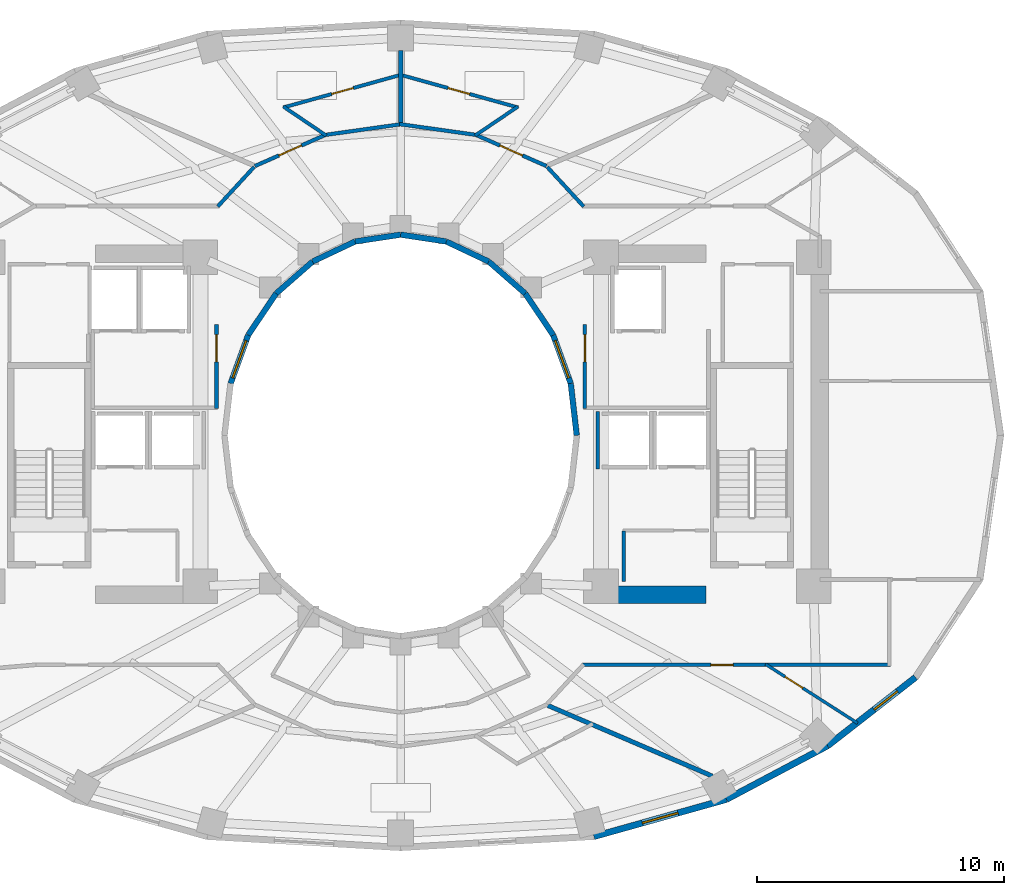
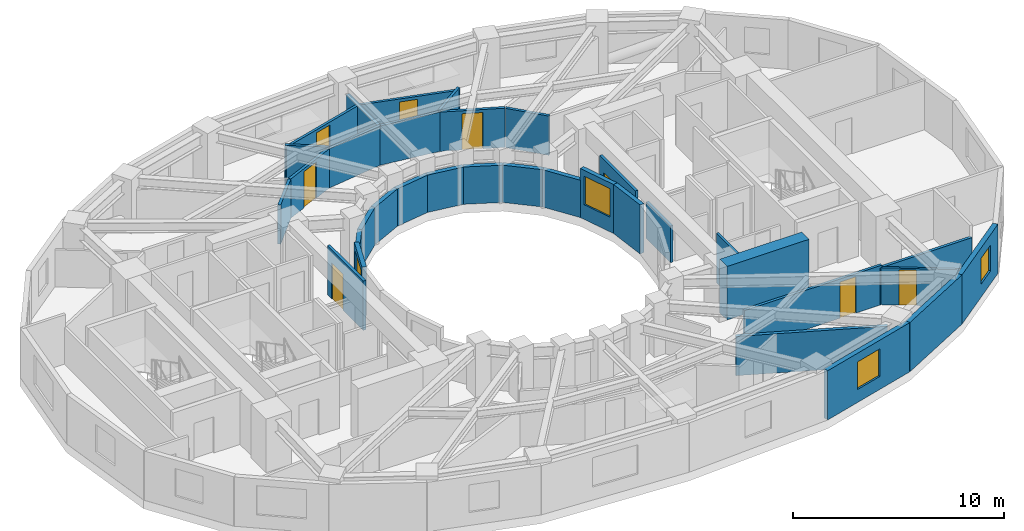
# One storey, part 5 of 9: 34 walls, 8 doors, 4 windows, 12 openings.
"""IFC4 building model written with IfcOpenShell, lengths in metres."""

from ifc_helpers import new_model, si_unit, direction, frame, frame_2d, origin, place, context, subcontext, project, spatial, rectangle, extrude, material, layer, layer_set, type_object, element, fill, save


model = new_model("IFC4")

# Units and contexts
model_context = context("Model", 3, precision=1e-05, world=origin(), true_north=direction((0.0, 1.0)))
body_context = subcontext(model_context, "Body", "Model", "MODEL_VIEW")
ifc_project = project(units=[si_unit("LENGTHUNIT", "METRE"), si_unit("AREAUNIT", "SQUARE_METRE"), si_unit("VOLUMEUNIT", "CUBIC_METRE"), si_unit("PLANEANGLEUNIT", "RADIAN"), si_unit("MASSUNIT", "GRAM", prefix="KILO")], contexts=[model_context])

# Site, building, storey
site_placement = place(None, origin())
site = spatial("IfcSite", under=ifc_project, at=site_placement, CompositionType="ELEMENT")
building_placement = place(site_placement, origin())
building = spatial("IfcBuilding", under=site, at=building_placement, Name="Solvane Sanctuary Tower", CompositionType="ELEMENT")
storey_placement = place(building_placement, frame((0.0, 0.0, 122.800048828125)))
storey = spatial("IfcBuildingStorey", under=building, at=storey_placement, Name="L37", CompositionType="ELEMENT", Elevation=122.800048828125)

# Wall
ifc_material_1 = material(Name="Concrete C60/75", Category="concrete")
ifc_layer_1 = layer(ifc_material_1, 0.699951171875, Name="Concrete C60/75")
ifc_layer_set_1 = layer_set([ifc_layer_1], Name="Concrete C60/75")
wall_type_1 = type_object("IfcWallType", Name="Wall W-CORE-700", PredefinedType="SHEAR", material=ifc_layer_set_1)
wall_1_placement = place(storey_placement, frame((39.85009765625, 16.550048828125, 0.0), z_axis=(0.0, 0.0, 1.0), x_axis=(1.0, 0.0, 0.0)))
element("IfcWall", 1, at=wall_1_placement, inside=storey, type_object=wall_type_1, Name="L37 Core Shear Wall EC-S", PredefinedType="SHEAR", context=body_context, shape_type="SweptSolid", body=[
    extrude(rectangle(XDim=4.5, YDim=0.699951171875, at=frame_2d((2.25, 0.0))), origin(), (0.0, 0.0, 1.0), 3.099853515625),
])

# Wall, opening, door
ifc_material_2 = material(Name="Acoustic Gypsum Partition Board")
ifc_layer_2 = layer(ifc_material_2, 0.14990234375, Name="Acoustic Gypsum Partition Board")
ifc_layer_set_2 = layer_set([ifc_layer_2], Name="Acoustic Gypsum Partition Board")
wall_type_2 = type_object("IfcWallType", Name="Wall W-CORR-150", PredefinedType="PARTITIONING", material=ifc_layer_set_2)
wall_2_placement = place(storey_placement, frame((24.550048828125, 24.080078125, 0.0), z_axis=(0.0, 0.0, 1.0), x_axis=(0.0, 1.0, 0.0)))
wall_2 = element("IfcWall", 2, at=wall_2_placement, inside=storey, type_object=wall_type_2, Name="L37 West Firefighting Lobby East Wall", PredefinedType="PARTITIONING", context=body_context, shape_type="SweptSolid", body=[
    extrude(rectangle(XDim=3.39990234375, YDim=0.14990234375, at=frame_2d((1.699951171875, 0.0))), origin(), (0.0, 0.0, 1.0), 2.85498046875),
])
opening_1_placement = place(wall_2_placement, frame((1.893798828125, 0.0, 0.0)))
opening_1 = element("IfcOpeningElement", 3, at=opening_1_placement, cuts=wall_2, Name="Opening D-L37-04", PredefinedType="OPENING", context=body_context, shape_type="SweptSolid", body=[
    extrude(rectangle(XDim=1.10009765625, YDim=2.10009765625, at=frame_2d((0.550048828125, 1.050048828125))), frame((0.0, 0.0849609375, 0.0), z_axis=(0.0, -1.0, 0.0), x_axis=(1.0, 0.0, 0.0)), (0.0, 0.0, 1.0), 0.169921875),
])
ifc_material_3 = material(Name="Architectural Stainless Steel 316", Category="steel")
door_type_1 = type_object("IfcDoorType", Name="Door D-FFL", OperationType="NOTDEFINED", PredefinedType="DOOR", material=ifc_material_3)
door_1_placement = place(opening_1_placement, origin())
door_1 = element("IfcDoor", 4, at=door_1_placement, inside=storey, type_object=door_type_1, Name="L37 West Firefighting Lobby Fire Door", OperationType="SINGLE_SWING_LEFT", OverallHeight=2.10009765625, OverallWidth=1.10009765625, PredefinedType="DOOR", context=body_context, shape_type="SweptSolid", body=[
    extrude(rectangle(XDim=1.10009765625, YDim=2.10009765625, at=frame_2d((0.550048828125, 1.050048828125))), frame((0.0, 0.02490234375, 0.0), z_axis=(0.0, -1.0, 0.0), x_axis=(1.0, 0.0, 0.0)), (0.0, 0.0, 1.0), 0.050048828125),
])
fill(opening_1, door_1)

wall_3_placement = place(storey_placement, frame((39.449951171875, 24.080078125, 0.0), z_axis=(0.0, 0.0, 1.0), x_axis=(0.0, 1.0, 0.0)))
wall_3 = element("IfcWall", 5, at=wall_3_placement, inside=storey, type_object=wall_type_2, Name="L37 East Firefighting Lobby West Wall", PredefinedType="PARTITIONING", context=body_context, shape_type="SweptSolid", body=[
    extrude(rectangle(XDim=3.39990234375, YDim=0.14990234375, at=frame_2d((1.699951171875, 0.0))), origin(), (0.0, 0.0, 1.0), 2.85498046875),
])
opening_2_placement = place(wall_3_placement, frame((1.893798828125, 0.0, 0.0)))
opening_2 = element("IfcOpeningElement", 6, at=opening_2_placement, cuts=wall_3, Name="Opening D-L37-05", PredefinedType="OPENING", context=body_context, shape_type="SweptSolid", body=[
    extrude(rectangle(XDim=1.10009765625, YDim=2.10009765625, at=frame_2d((0.550048828125, 1.050048828125))), frame((0.0, 0.0849609375, 0.0), z_axis=(0.0, -1.0, 0.0), x_axis=(1.0, 0.0, 0.0)), (0.0, 0.0, 1.0), 0.169921875),
])
door_2_placement = place(opening_2_placement, origin())
door_2 = element("IfcDoor", 7, at=door_2_placement, inside=storey, type_object=door_type_1, Name="L37 East Firefighting Lobby Fire Door", OperationType="SINGLE_SWING_RIGHT", OverallHeight=2.10009765625, OverallWidth=1.10009765625, PredefinedType="DOOR", context=body_context, shape_type="SweptSolid", body=[
    extrude(rectangle(XDim=1.10009765625, YDim=2.10009765625, at=frame_2d((0.550048828125, 1.050048828125))), frame((0.0, 0.02490234375, 0.0), z_axis=(0.0, -1.0, 0.0), x_axis=(1.0, 0.0, 0.0)), (0.0, 0.0, 1.0), 0.050048828125),
])
fill(opening_2, door_2)

# Walls
for number, where, z_axis, x_axis, name in (
    (8, (37.92822265625, 33.855712890625, 0.0), (0.0, 0.0, 1.0), (0.677579737957, -0.735449317567, 0.0), "L37 NE Corner Throat Wall"),
    (9, (26.07177734375, 33.855712890625, 0.0), (0.0, 0.0, 1.0), (-0.677579737957, -0.735449317567, 0.0), "L37 NW Corner Throat Wall"),
):
    element("IfcWall", number, at=place(storey_placement, frame(where, z_axis=z_axis, x_axis=x_axis)), inside=storey, type_object=wall_type_2, Name=name, PredefinedType="PARTITIONING", context=body_context, shape_type="SweptSolid", body=[
        extrude(rectangle(XDim=2.172607421875, YDim=0.14990234375, at=frame_2d((1.08642578125, 0.0))), origin(), (0.0, 0.0, 1.0), 2.27197265625),
    ])

# Wall, opening, door
wall_4_placement = place(storey_placement, frame((39.330078125, 13.719970703125, 0.0), z_axis=(0.0, 0.0, 1.0), x_axis=(1.0, 0.0, 0.0)))
wall_4 = element("IfcWall", 10, at=wall_4_placement, inside=storey, type_object=wall_type_2, Name="L37 SE Corner Corridor Wall", PredefinedType="PARTITIONING", context=body_context, shape_type="SweptSolid", body=[
    extrude(rectangle(XDim=7.52001953125, YDim=0.14990234375, at=frame_2d((3.760009765625, 0.0))), origin(), (0.0, 0.0, 1.0), 2.27197265625),
])
opening_3_placement = place(wall_4_placement, frame((5.219970703125, 0.0, 0.0)))
opening_3 = element("IfcOpeningElement", 11, at=opening_3_placement, cuts=wall_4, Name="Opening D-L37-19", PredefinedType="OPENING", context=body_context, shape_type="SweptSolid", body=[
    extrude(rectangle(XDim=0.89990234375, YDim=2.10009765625, at=frame_2d((0.449951171875, 1.050048828125))), frame((0.0, 0.0849609375, 0.0), z_axis=(0.0, -1.0, 0.0), x_axis=(1.0, 0.0, 0.0)), (0.0, 0.0, 1.0), 0.169921875),
])
ifc_material_4 = material(Name="Engineered Tropical Hardwood", Category="wood")
door_type_2 = type_object("IfcDoorType", Name="Door D-WET-900", OperationType="NOTDEFINED", PredefinedType="DOOR", material=ifc_material_4)
door_3_placement = place(opening_3_placement, origin())
door_3 = element("IfcDoor", 12, at=door_3_placement, inside=storey, type_object=door_type_2, Name="L37 SE Corner Salon Door", OperationType="SINGLE_SWING_RIGHT", OverallHeight=2.10009765625, OverallWidth=0.89990234375, PredefinedType="DOOR", context=body_context, shape_type="SweptSolid", body=[
    extrude(rectangle(XDim=0.89990234375, YDim=2.10009765625, at=frame_2d((0.449951171875, 1.050048828125))), frame((0.0, 0.02490234375, 0.0), z_axis=(0.0, -1.0, 0.0), x_axis=(1.0, 0.0, 0.0)), (0.0, 0.0, 1.0), 0.050048828125),
])
fill(opening_3, door_3)

# Walls
wall_5_placement = place(storey_placement, frame((46.75, 13.719970703125, 0.0), z_axis=(0.0, 0.0, 1.0), x_axis=(1.0, 0.0, 0.0)))
element("IfcWall", 13, at=wall_5_placement, inside=storey, type_object=wall_type_2, Name="L37 SE Corner Wing Wall", PredefinedType="PARTITIONING", context=body_context, shape_type="SweptSolid", body=[
    extrude(rectangle(XDim=5.050048828125, YDim=0.14990234375, at=frame_2d((2.52490234375, 0.0))), origin(), (0.0, 0.0, 1.0), 2.141845703125),
])
wall_6_placement = place(storey_placement, frame((35.098876953125, 35.146240234375, 0.0), z_axis=(0.0, 0.0, 1.0), x_axis=(-0.990251283702, 0.139292480508, 0.0)))
element("IfcWall", 14, at=wall_6_placement, inside=storey, type_object=wall_type_2, Name="L37 En-suite Inner Wall N1", PredefinedType="PARTITIONING", context=body_context, shape_type="SweptSolid", body=[
    extrude(rectangle(XDim=3.179443359375, YDim=0.14990234375, at=frame_2d((1.58984375, 0.0))), origin(), (0.0, 0.0, 1.0), 2.27197265625),
])

# Wall, opening, door
wall_7_placement = place(storey_placement, frame((37.898193359375, 33.891845703125, 0.0), z_axis=(0.0, 0.0, 1.0), x_axis=(-0.914519212393, 0.40454247016, 0.0)))
wall_7 = element("IfcWall", 15, at=wall_7_placement, inside=storey, type_object=wall_type_2, Name="L37 Unit Corridor Wall N1", PredefinedType="PARTITIONING", context=body_context, shape_type="SweptSolid", body=[
    extrude(rectangle(XDim=3.123779296875, YDim=0.14990234375, at=frame_2d((1.56201171875, 0.0))), origin(), (0.0, 0.0, 1.0), 2.27197265625),
])
opening_4_placement = place(wall_7_placement, frame((1.061767578125, 0.0, 0.0)))
opening_4 = element("IfcOpeningElement", 16, at=opening_4_placement, cuts=wall_7, Name="Opening D-L37-22", PredefinedType="OPENING", context=body_context, shape_type="SweptSolid", body=[
    extrude(rectangle(XDim=1.0, YDim=2.10009765625, at=frame_2d((0.5, 1.050048828125))), frame((0.0, 0.0849609375, 0.0), z_axis=(0.0, -1.0, 0.0), x_axis=(1.0, 0.0, 0.0)), (0.0, 0.0, 1.0), 0.169921875),
])
door_type_3 = type_object("IfcDoorType", Name="Door D-UNIT", OperationType="NOTDEFINED", PredefinedType="DOOR", material=ifc_material_4)
door_4_placement = place(opening_4_placement, origin())
door_4 = element("IfcDoor", 17, at=door_4_placement, inside=storey, type_object=door_type_3, Name="L37 Unit Entrance Door N1", OperationType="SINGLE_SWING_LEFT", OverallHeight=2.10009765625, OverallWidth=1.0, PredefinedType="DOOR", context=body_context, shape_type="SweptSolid", body=[
    extrude(rectangle(XDim=1.0, YDim=2.10009765625, at=frame_2d((0.5, 1.050048828125))), frame((0.0, 0.02490234375, 0.0), z_axis=(0.0, -1.0, 0.0), x_axis=(1.0, 0.0, 0.0)), (0.0, 0.0, 1.0), 0.050048828125),
])
fill(opening_4, door_4)

# Wall
wall_8_placement = place(storey_placement, frame((32.049560546875, 35.589111328125, 0.0), z_axis=(0.0, 0.0, 1.0), x_axis=(-0.990251283702, -0.139292480508, 0.0)))
element("IfcWall", 18, at=wall_8_placement, inside=storey, type_object=wall_type_2, Name="L37 En-suite Inner Wall N2", PredefinedType="PARTITIONING", context=body_context, shape_type="SweptSolid", body=[
    extrude(rectangle(XDim=3.179443359375, YDim=0.14990234375, at=frame_2d((1.58984375, 0.0))), origin(), (0.0, 0.0, 1.0), 2.27197265625),
])

# Wall, opening, door
wall_9_placement = place(storey_placement, frame((28.95849609375, 35.155517578125, 0.0), z_axis=(0.0, 0.0, 1.0), x_axis=(-0.914519212393, -0.40454247016, 0.0)))
wall_9 = element("IfcWall", 19, at=wall_9_placement, inside=storey, type_object=wall_type_2, Name="L37 Unit Corridor Wall N2", PredefinedType="PARTITIONING", context=body_context, shape_type="SweptSolid", body=[
    extrude(rectangle(XDim=3.123779296875, YDim=0.14990234375, at=frame_2d((1.56201171875, 0.0))), origin(), (0.0, 0.0, 1.0), 2.27197265625),
])
opening_5_placement = place(wall_9_placement, frame((1.061767578125, 0.0, 0.0)))
opening_5 = element("IfcOpeningElement", 20, at=opening_5_placement, cuts=wall_9, Name="Opening D-L37-24", PredefinedType="OPENING", context=body_context, shape_type="SweptSolid", body=[
    extrude(rectangle(XDim=1.0, YDim=2.10009765625, at=frame_2d((0.5, 1.050048828125))), frame((0.0, 0.0849609375, 0.0), z_axis=(0.0, -1.0, 0.0), x_axis=(1.0, 0.0, 0.0)), (0.0, 0.0, 1.0), 0.169921875),
])
door_5_placement = place(opening_5_placement, origin())
door_5 = element("IfcDoor", 21, at=door_5_placement, inside=storey, type_object=door_type_3, Name="L37 Unit Entrance Door N2", OperationType="SINGLE_SWING_LEFT", OverallHeight=2.10009765625, OverallWidth=1.0, PredefinedType="DOOR", context=body_context, shape_type="SweptSolid", body=[
    extrude(rectangle(XDim=1.0, YDim=2.10009765625, at=frame_2d((0.5, 1.050048828125))), frame((0.0, 0.02490234375, 0.0), z_axis=(0.0, -1.0, 0.0), x_axis=(1.0, 0.0, 0.0)), (0.0, 0.0, 1.0), 0.050048828125),
])
fill(opening_5, door_5)

# Wall, opening, window
ifc_material_5 = material(Name="Precast concrete C40/50", Category="concrete")
ifc_layer_3 = layer(ifc_material_5, 0.260009765625, Name="Precast concrete C40/50")
ifc_layer_set_3 = layer_set([ifc_layer_3], Name="Precast concrete C40/50")
wall_type_3 = type_object("IfcWallType", Name="Wall W-EXT-250", PredefinedType="STANDARD", material=ifc_layer_set_3)
wall_10_placement = place(storey_placement, frame((39.81640625, 6.7783203125, 0.0), z_axis=(0.0, 0.0, 1.0), x_axis=(0.962938491413, 0.269721081407, 0.0)))
wall_10 = element("IfcWall", 22, at=wall_10_placement, inside=storey, type_object=wall_type_3, Name="L37 Ceramic-Printed Facade Wall 19", PredefinedType="STANDARD", context=body_context, shape_type="SweptSolid", body=[
    extrude(rectangle(XDim=5.563232421875, YDim=0.260009765625, at=frame_2d((2.78173828125, 0.0))), origin(), (0.0, 0.0, 1.0), 2.849853515625),
])
opening_6_placement = place(wall_10_placement, frame((2.031494140625, 0.0, 0.75)))
opening_6 = element("IfcOpeningElement", 23, at=opening_6_placement, cuts=wall_10, Name="Opening WN-OPER-1500", PredefinedType="OPENING", context=body_context, shape_type="SweptSolid", body=[
    extrude(rectangle(XDim=1.5, YDim=1.60009765625, at=frame_2d((0.75, 0.800048828125))), frame((0.0, 0.139892578125, 0.0), z_axis=(0.0, -1.0, 0.0), x_axis=(1.0, 0.0, 0.0)), (0.0, 0.0, 1.0), 0.280029296875),
])
ifc_material_6 = material(Name="Dark Ceramic-Fritted Low-E Glass", Category="glass")
window_type_1 = type_object("IfcWindowType", Name="Window WN-OPER-1500", PartitioningType="SINGLE_PANEL", PredefinedType="WINDOW", material=ifc_material_6)
window_1_placement = place(opening_6_placement, origin())
window_1 = element("IfcWindow", 24, at=window_1_placement, inside=storey, type_object=window_type_1, Name="L37 Operable Facade Window 19", OverallHeight=1.60009765625, OverallWidth=1.5, PartitioningType="SINGLE_PANEL", PredefinedType="WINDOW", context=body_context, shape_type="SweptSolid", body=[
    extrude(rectangle(XDim=1.5, YDim=1.60009765625, at=frame_2d((0.75, 0.800048828125))), frame((0.0, 0.030029296875, 0.0), z_axis=(0.0, -1.0, 0.0), x_axis=(1.0, 0.0, 0.0)), (0.0, 0.0, 1.0), 0.06005859375),
])
fill(opening_6, window_1)

# Wall
wall_11_placement = place(storey_placement, frame((45.17333984375, 8.27880859375, 0.0), z_axis=(0.0, 0.0, 1.0), x_axis=(0.883668636807, 0.4681129568, 0.0)))
element("IfcWall", 25, at=wall_11_placement, inside=storey, type_object=wall_type_3, Name="L37 Ceramic-Printed Facade Wall 20", PredefinedType="STANDARD", context=body_context, shape_type="SweptSolid", body=[
    extrude(rectangle(XDim=4.63134765625, YDim=0.260009765625, at=frame_2d((2.315673828125, 0.0))), origin(), (0.0, 0.0, 1.0), 2.849853515625),
])

# Wall, opening, window
wall_12_placement = place(storey_placement, frame((49.265869140625, 10.44677734375, 0.0), z_axis=(0.0, 0.0, 1.0), x_axis=(0.789127449954, 0.614229491094, 0.0)))
wall_12 = element("IfcWall", 26, at=wall_12_placement, inside=storey, type_object=wall_type_3, Name="L37 Ceramic-Printed Facade Wall 21", PredefinedType="STANDARD", context=body_context, shape_type="SweptSolid", body=[
    extrude(rectangle(XDim=4.504638671875, YDim=0.260009765625, at=frame_2d((2.25244140625, 0.0))), origin(), (0.0, 0.0, 1.0), 2.849853515625),
])
opening_7_placement = place(wall_12_placement, frame((2.383056640625, 0.0, 0.75)))
opening_7 = element("IfcOpeningElement", 27, at=opening_7_placement, cuts=wall_12, Name="Opening WN-OPER-1200", PredefinedType="OPENING", context=body_context, shape_type="SweptSolid", body=[
    extrude(rectangle(XDim=1.199951171875, YDim=1.5, at=frame_2d((0.60009765625, 0.75))), frame((0.0, 0.139892578125, 0.0), z_axis=(0.0, -1.0, 0.0), x_axis=(1.0, 0.0, 0.0)), (0.0, 0.0, 1.0), 0.280029296875),
])
window_type_2 = type_object("IfcWindowType", Name="Window WN-OPER-1200", PartitioningType="SINGLE_PANEL", PredefinedType="WINDOW", material=ifc_material_6)
window_2_placement = place(opening_7_placement, origin())
window_2 = element("IfcWindow", 28, at=window_2_placement, inside=storey, type_object=window_type_2, Name="L37 Operable Facade Window 21", OverallHeight=1.5, OverallWidth=1.199951171875, PartitioningType="SINGLE_PANEL", PredefinedType="WINDOW", context=body_context, shape_type="SweptSolid", body=[
    extrude(rectangle(XDim=1.199951171875, YDim=1.5, at=frame_2d((0.60009765625, 0.75))), frame((0.0, 0.030029296875, 0.0), z_axis=(0.0, -1.0, 0.0), x_axis=(1.0, 0.0, 0.0)), (0.0, 0.0, 1.0), 0.06005859375),
])
fill(opening_7, window_2)

# Wall
ifc_layer_4 = layer(ifc_material_5, 0.22998046875, Name="Precast concrete C40/50")
ifc_layer_set_4 = layer_set([ifc_layer_4], Name="Precast concrete C40/50")
wall_type_4 = type_object("IfcWallType", Name="Wall W-EXT-SP220", PredefinedType="STANDARD", material=ifc_layer_set_4)
wall_13_placement = place(storey_placement, frame((39.1201171875, 23.0, 0.0), z_axis=(0.0, 0.0, 1.0), x_axis=(-0.114711713601, 0.993398823617, 0.0)))
element("IfcWall", 29, at=wall_13_placement, inside=storey, type_object=wall_type_4, Name="L37 Central Light-Well Wall 00", PredefinedType="STANDARD", context=body_context, shape_type="SweptSolid", body=[
    extrude(rectangle(XDim=2.115478515625, YDim=0.22998046875, at=frame_2d((1.0576171875, 0.0))), origin(), (0.0, 0.0, 1.0), 2.83984375),
])

# Wall, opening, window
wall_14_placement = place(storey_placement, frame((38.87744140625, 25.1015625, 0.0), z_axis=(0.0, 0.0, 1.0), x_axis=(-0.341423187295, 0.93990968033, 0.0)))
wall_14 = element("IfcWall", 30, at=wall_14_placement, inside=storey, type_object=wall_type_4, Name="L37 Central Light-Well Wall 01", PredefinedType="STANDARD", context=body_context, shape_type="SweptSolid", body=[
    extrude(rectangle(XDim=2.083740234375, YDim=0.22998046875, at=frame_2d((1.0419921875, 0.0))), origin(), (0.0, 0.0, 1.0), 2.83984375),
])
opening_8_placement = place(wall_14_placement, frame((0.24169921875, 0.0, 0.85009765625)))
opening_8 = element("IfcOpeningElement", 31, at=opening_8_placement, cuts=wall_14, Name="Opening WN-WELL-1600", PredefinedType="OPENING", context=body_context, shape_type="SweptSolid", body=[
    extrude(rectangle(XDim=1.60009765625, YDim=1.64990234375, at=frame_2d((0.800048828125, 0.824951171875))), frame((0.0, 0.125, 0.0), z_axis=(0.0, -1.0, 0.0), x_axis=(1.0, 0.0, 0.0)), (0.0, 0.0, 1.0), 0.25),
])
ifc_material_7 = material(Name="Clear Laminated Light-Well Glass", Category="glass")
window_type_3 = type_object("IfcWindowType", Name="Window WN-WELL-1600", PartitioningType="SINGLE_PANEL", PredefinedType="WINDOW", material=ifc_material_7)
window_3_placement = place(opening_8_placement, origin())
window_3 = element("IfcWindow", 32, at=window_3_placement, inside=storey, type_object=window_type_3, Name="L37 Light-Well Daylight Window 01", OverallHeight=1.64990234375, OverallWidth=1.60009765625, PartitioningType="SINGLE_PANEL", PredefinedType="WINDOW", context=body_context, shape_type="SweptSolid", body=[
    extrude(rectangle(XDim=1.60009765625, YDim=1.64990234375, at=frame_2d((0.800048828125, 0.824951171875))), frame((0.0, 0.030029296875, 0.0), z_axis=(0.0, -1.0, 0.0), x_axis=(1.0, 0.0, 0.0)), (0.0, 0.0, 1.0), 0.06005859375),
])
fill(opening_8, window_3)

# Walls
wall_15_placement = place(storey_placement, frame((38.166015625, 27.06005859375, 0.0), z_axis=(0.0, 0.0, 1.0), x_axis=(-0.558197800898, 0.829707909492, 0.0)))
element("IfcWall", 33, at=wall_15_placement, inside=storey, type_object=wall_type_4, Name="L37 Central Light-Well Wall 02", PredefinedType="STANDARD", context=body_context, shape_type="SweptSolid", body=[
    extrude(rectangle(XDim=2.02685546875, YDim=0.22998046875, at=frame_2d((1.013427734375, 0.0))), origin(), (0.0, 0.0, 1.0), 2.159912109375),
])
wall_16_placement = place(storey_placement, frame((37.03466796875, 28.74169921875, 0.0), z_axis=(0.0, 0.0, 1.0), x_axis=(-0.752576694707, 0.658504607869, 0.0)))
element("IfcWall", 34, at=wall_16_placement, inside=storey, type_object=wall_type_4, Name="L37 Central Light-Well Wall 03", PredefinedType="STANDARD", context=body_context, shape_type="SweptSolid", body=[
    extrude(rectangle(XDim=1.95947265625, YDim=0.22998046875, at=frame_2d((0.979736328125, 0.0))), origin(), (0.0, 0.0, 1.0), 2.159912109375),
])
wall_17_placement = place(storey_placement, frame((35.56005859375, 30.031982421875, 0.0), z_axis=(0.0, 0.0, 1.0), x_axis=(-0.904179699603, 0.427152280606, 0.0)))
element("IfcWall", 35, at=wall_17_placement, inside=storey, type_object=wall_type_4, Name="L37 Central Light-Well Wall 04", PredefinedType="STANDARD", context=body_context, shape_type="SweptSolid", body=[
    extrude(rectangle(XDim=1.899169921875, YDim=0.22998046875, at=frame_2d((0.94970703125, 0.0))), origin(), (0.0, 0.0, 1.0), 2.159912109375),
])
for number, where, z_axis, x_axis, name in (
    (36, (33.8427734375, 30.84326171875, 0.0), (0.0, 0.0, 1.0), (-0.988901730308, 0.148571086668, 0.0), "L37 Central Light-Well Wall 05"),
    (37, (32.0, 31.1201171875, 0.0), (0.0, 0.0, 1.0), (-0.988901730308, -0.148571086668, 0.0), "L37 Central Light-Well Wall 06"),
):
    element("IfcWall", number, at=place(storey_placement, frame(where, z_axis=z_axis, x_axis=x_axis)), inside=storey, type_object=wall_type_4, Name=name, PredefinedType="STANDARD", context=body_context, shape_type="SweptSolid", body=[
        extrude(rectangle(XDim=1.863525390625, YDim=0.22998046875, at=frame_2d((0.931640625, 0.0))), origin(), (0.0, 0.0, 1.0), 2.159912109375),
    ])
wall_18_placement = place(storey_placement, frame((30.1572265625, 30.84326171875, 0.0), z_axis=(0.0, 0.0, 1.0), x_axis=(-0.904179699603, -0.427152280606, 0.0)))
element("IfcWall", 38, at=wall_18_placement, inside=storey, type_object=wall_type_4, Name="L37 Central Light-Well Wall 07", PredefinedType="STANDARD", context=body_context, shape_type="SweptSolid", body=[
    extrude(rectangle(XDim=1.899169921875, YDim=0.22998046875, at=frame_2d((0.94970703125, 0.0))), origin(), (0.0, 0.0, 1.0), 2.159912109375),
])
wall_19_placement = place(storey_placement, frame((28.43994140625, 30.031982421875, 0.0), z_axis=(0.0, 0.0, 1.0), x_axis=(-0.752576694707, -0.658504607869, 0.0)))
element("IfcWall", 39, at=wall_19_placement, inside=storey, type_object=wall_type_4, Name="L37 Central Light-Well Wall 08", PredefinedType="STANDARD", context=body_context, shape_type="SweptSolid", body=[
    extrude(rectangle(XDim=1.95947265625, YDim=0.22998046875, at=frame_2d((0.979736328125, 0.0))), origin(), (0.0, 0.0, 1.0), 2.159912109375),
])
wall_20_placement = place(storey_placement, frame((26.96533203125, 28.74169921875, 0.0), z_axis=(0.0, 0.0, 1.0), x_axis=(-0.558197800898, -0.829707909492, 0.0)))
element("IfcWall", 40, at=wall_20_placement, inside=storey, type_object=wall_type_4, Name="L37 Central Light-Well Wall 09", PredefinedType="STANDARD", context=body_context, shape_type="SweptSolid", body=[
    extrude(rectangle(XDim=2.02685546875, YDim=0.22998046875, at=frame_2d((1.013427734375, 0.0))), origin(), (0.0, 0.0, 1.0), 2.159912109375),
])

# Wall, opening, window
wall_21_placement = place(storey_placement, frame((25.833984375, 27.06005859375, 0.0), z_axis=(0.0, 0.0, 1.0), x_axis=(-0.341423187295, -0.93990968033, 0.0)))
wall_21 = element("IfcWall", 41, at=wall_21_placement, inside=storey, type_object=wall_type_4, Name="L37 Central Light-Well Wall 10", PredefinedType="STANDARD", context=body_context, shape_type="SweptSolid", body=[
    extrude(rectangle(XDim=2.083740234375, YDim=0.22998046875, at=frame_2d((1.0419921875, 0.0))), origin(), (0.0, 0.0, 1.0), 2.83984375),
])
opening_9_placement = place(wall_21_placement, frame((0.24169921875, 0.0, 0.85009765625)))
opening_9 = element("IfcOpeningElement", 42, at=opening_9_placement, cuts=wall_21, Name="Opening WN-WELL-1600", PredefinedType="OPENING", context=body_context, shape_type="SweptSolid", body=[
    extrude(rectangle(XDim=1.60009765625, YDim=1.64990234375, at=frame_2d((0.800048828125, 0.824951171875))), frame((0.0, 0.125, 0.0), z_axis=(0.0, -1.0, 0.0), x_axis=(1.0, 0.0, 0.0)), (0.0, 0.0, 1.0), 0.25),
])
window_4_placement = place(opening_9_placement, origin())
window_4 = element("IfcWindow", 43, at=window_4_placement, inside=storey, type_object=window_type_3, Name="L37 Light-Well Daylight Window 10", OverallHeight=1.64990234375, OverallWidth=1.60009765625, PartitioningType="SINGLE_PANEL", PredefinedType="WINDOW", context=body_context, shape_type="SweptSolid", body=[
    extrude(rectangle(XDim=1.60009765625, YDim=1.64990234375, at=frame_2d((0.800048828125, 0.824951171875))), frame((0.0, 0.030029296875, 0.0), z_axis=(0.0, -1.0, 0.0), x_axis=(1.0, 0.0, 0.0)), (0.0, 0.0, 1.0), 0.06005859375),
])
fill(opening_9, window_4)

# Wall, opening, door
ifc_layer_5 = layer(ifc_material_2, 0.1201171875, Name="Acoustic Gypsum Partition Board")
ifc_layer_set_5 = layer_set([ifc_layer_5], Name="Acoustic Gypsum Partition Board")
wall_type_5 = type_object("IfcWallType", Name="Wall W-MOV-100", PredefinedType="MOVABLE", material=ifc_layer_set_5)
wall_22_placement = place(storey_placement, frame((46.7578125, 13.7470703125, 0.0), z_axis=(0.0, 0.0, 1.0), x_axis=(0.841897149708, -0.539638016928, 0.0)))
wall_22 = element("IfcWall", 44, at=wall_22_placement, inside=storey, type_object=wall_type_5, Name="L37 SE Corner Suite Partition", PredefinedType="MOVABLE", context=body_context, shape_type="SweptSolid", body=[
    extrude(rectangle(XDim=4.42138671875, YDim=0.1201171875, at=frame_2d((2.210693359375, 0.0))), origin(), (0.0, 0.0, 1.0), 2.141845703125),
])
opening_10_placement = place(wall_22_placement, frame((0.938232421875, 0.0, 0.0)))
opening_10 = element("IfcOpeningElement", 45, at=opening_10_placement, cuts=wall_22, Name="Opening D-L37-18", PredefinedType="OPENING", context=body_context, shape_type="SweptSolid", body=[
    extrude(rectangle(XDim=0.85009765625, YDim=2.050048828125, at=frame_2d((0.425048828125, 1.02490234375))), frame((0.0, 0.070068359375, 0.0), z_axis=(0.0, -1.0, 0.0), x_axis=(1.0, 0.0, 0.0)), (0.0, 0.0, 1.0), 0.14013671875),
])
door_type_4 = type_object("IfcDoorType", Name="Door D-RISER", OperationType="NOTDEFINED", PredefinedType="DOOR", material=ifc_material_3)
door_6_placement = place(opening_10_placement, origin())
door_6 = element("IfcDoor", 46, at=door_6_placement, inside=storey, type_object=door_type_4, Name="L37 SE Corner Suite Door", OperationType="SINGLE_SWING_LEFT", OverallHeight=2.050048828125, OverallWidth=0.85009765625, PredefinedType="DOOR", context=body_context, shape_type="SweptSolid", body=[
    extrude(rectangle(XDim=0.85009765625, YDim=2.050048828125, at=frame_2d((0.425048828125, 1.02490234375))), frame((0.0, 0.02490234375, 0.0), z_axis=(0.0, -1.0, 0.0), x_axis=(1.0, 0.0, 0.0)), (0.0, 0.0, 1.0), 0.050048828125),
])
fill(opening_10, door_6)

# Walls
ifc_layer_6 = layer(ifc_material_2, 0.125, Name="Acoustic Gypsum Partition Board")
ifc_layer_set_6 = layer_set([ifc_layer_6], Name="Acoustic Gypsum Partition Board")
wall_type_6 = type_object("IfcWallType", Name="Wall W-PART-125", PredefinedType="PARTITIONING", material=ifc_layer_set_6)
wall_23_placement = place(storey_placement, frame((41.02001953125, 17.10009765625, 0.0), z_axis=(0.0, 0.0, 1.0), x_axis=(0.0, 1.0, 0.0)))
element("IfcWall", 47, at=wall_23_placement, inside=storey, type_object=wall_type_6, Name="L37 Reclaimed Room Closer Wall PLE-1", PredefinedType="PARTITIONING", context=body_context, shape_type="SweptSolid", body=[
    extrude(rectangle(XDim=2.039794921875, YDim=0.125, at=frame_2d((1.02001953125, 0.0))), origin(), (0.0, 0.0, 1.0), 2.85498046875),
])
ifc_material_8 = material(Name="Concrete C50/60", Category="concrete")
ifc_layer_7 = layer(ifc_material_8, 0.14990234375, Name="Concrete C50/60")
ifc_layer_set_7 = layer_set([ifc_layer_7], Name="Concrete C50/60")
wall_type_7 = type_object("IfcWallType", Name="Wall W-SHAFT-150", PredefinedType="SOLIDWALL", material=ifc_layer_set_7)
wall_24_placement = place(storey_placement, frame((39.969970703125, 21.639892578125, 0.0), z_axis=(0.0, 0.0, 1.0), x_axis=(0.0, 1.0, 0.0)))
element("IfcWall", 48, at=wall_24_placement, inside=storey, type_object=wall_type_7, Name="L37 PH-2 Lift Shaft Wall S1", PredefinedType="SOLIDWALL", context=body_context, shape_type="SweptSolid", body=[
    extrude(rectangle(XDim=2.320068359375, YDim=0.14990234375, at=frame_2d((1.16015625, 0.0))), origin(), (0.0, 0.0, 1.0), 2.119873046875),
])
ifc_layer_8 = layer(ifc_material_2, 0.179931640625, Name="Acoustic Gypsum Partition Board")
ifc_layer_set_8 = layer_set([ifc_layer_8], Name="Acoustic Gypsum Partition Board")
wall_type_8 = type_object("IfcWallType", Name="Wall W-UNIT-180", PredefinedType="PARTITIONING", material=ifc_layer_set_8)
wall_25_placement = place(storey_placement, frame((32.0, 35.636962890625, 0.0), z_axis=(0.0, 0.0, 1.0), x_axis=(0.0, 1.0, 0.0)))
element("IfcWall", 49, at=wall_25_placement, inside=storey, type_object=wall_type_8, Name="L37 Radial Compartment Wall 090", PredefinedType="PARTITIONING", context=body_context, shape_type="SweptSolid", body=[
    extrude(rectangle(XDim=2.93798828125, YDim=0.179931640625, at=frame_2d((1.468994140625, 0.0))), origin(), (0.0, 0.0, 1.0), 2.27197265625),
])
wall_26_placement = place(storey_placement, frame((37.94140625, 12.08203125, 0.0), z_axis=(0.0, 0.0, 1.0), x_axis=(0.918836579087, -0.394638240584, 0.0)))
element("IfcWall", 50, at=wall_26_placement, inside=storey, type_object=wall_type_8, Name="L37 Radial Compartment Wall 300", PredefinedType="PARTITIONING", context=body_context, shape_type="SweptSolid", body=[
    extrude(rectangle(XDim=7.2529296875, YDim=0.179931640625, at=frame_2d((3.62646484375, 0.0))), origin(), (0.0, 0.0, 1.0), 2.27197265625),
])
ifc_layer_9 = layer(ifc_material_2, 0.139892578125, Name="Acoustic Gypsum Partition Board")
ifc_layer_set_9 = layer_set([ifc_layer_9], Name="Acoustic Gypsum Partition Board")
wall_type_9 = type_object("IfcWallType", Name="Wall W-WET-140", PredefinedType="PLUMBINGWALL", material=ifc_layer_set_9)
wall_27_placement = place(storey_placement, frame((35.008056640625, 35.125244140625, 0.0), z_axis=(0.0, 0.0, 1.0), x_axis=(0.828185016676, 0.560454795816, 0.0)))
element("IfcWall", 51, at=wall_27_placement, inside=storey, type_object=wall_type_9, Name="L37 En-suite Side Partition N1", PredefinedType="PLUMBINGWALL", context=body_context, shape_type="SweptSolid", body=[
    extrude(rectangle(XDim=2.10009765625, YDim=0.139892578125, at=frame_2d((1.050048828125, 0.0))), origin(), (0.0, 0.0, 1.0), 2.385009765625),
])

# Wall, opening, door
wall_28_placement = place(storey_placement, frame((36.75390625, 36.2607421875, 0.0), z_axis=(0.0, 0.0, 1.0), x_axis=(-0.963475088548, 0.267797971889, 0.0)))
wall_28 = element("IfcWall", 52, at=wall_28_placement, inside=storey, type_object=wall_type_9, Name="L37 En-suite Bedroom Wall N1", PredefinedType="PLUMBINGWALL", context=body_context, shape_type="SweptSolid", body=[
    extrude(rectangle(XDim=4.984130859375, YDim=0.139892578125, at=frame_2d((2.4921875, 0.0))), origin(), (0.0, 0.0, 1.0), 2.27197265625),
])
opening_11_placement = place(wall_28_placement, frame((2.0419921875, 0.0, 0.0)))
opening_11 = element("IfcOpeningElement", 53, at=opening_11_placement, cuts=wall_28, Name="Opening D-L37-21", PredefinedType="OPENING", context=body_context, shape_type="SweptSolid", body=[
    extrude(rectangle(XDim=0.89990234375, YDim=2.10009765625, at=frame_2d((0.449951171875, 1.050048828125))), frame((0.0, 0.079833984375, 0.0), z_axis=(0.0, -1.0, 0.0), x_axis=(1.0, 0.0, 0.0)), (0.0, 0.0, 1.0), 0.159912109375),
])
door_7_placement = place(opening_11_placement, origin())
door_7 = element("IfcDoor", 54, at=door_7_placement, inside=storey, type_object=door_type_2, Name="L37 En-suite Bathroom Door N1", OperationType="SINGLE_SWING_RIGHT", OverallHeight=2.10009765625, OverallWidth=0.89990234375, PredefinedType="DOOR", context=body_context, shape_type="SweptSolid", body=[
    extrude(rectangle(XDim=0.89990234375, YDim=2.10009765625, at=frame_2d((0.449951171875, 1.050048828125))), frame((0.0, 0.02490234375, 0.0), z_axis=(0.0, -1.0, 0.0), x_axis=(1.0, 0.0, 0.0)), (0.0, 0.0, 1.0), 0.050048828125),
])
fill(opening_11, door_7)

# Wall
wall_29_placement = place(storey_placement, frame((28.991943359375, 35.125244140625, 0.0), z_axis=(0.0, 0.0, 1.0), x_axis=(-0.828185016676, 0.560454795816, 0.0)))
element("IfcWall", 55, at=wall_29_placement, inside=storey, type_object=wall_type_9, Name="L37 En-suite Side Partition N2", PredefinedType="PLUMBINGWALL", context=body_context, shape_type="SweptSolid", body=[
    extrude(rectangle(XDim=2.10009765625, YDim=0.139892578125, at=frame_2d((1.050048828125, 0.0))), origin(), (0.0, 0.0, 1.0), 2.385009765625),
])

# Wall, opening, door
wall_30_placement = place(storey_placement, frame((32.048095703125, 37.595458984375, 0.0), z_axis=(0.0, 0.0, 1.0), x_axis=(-0.963475088548, -0.267797971889, 0.0)))
wall_30 = element("IfcWall", 56, at=wall_30_placement, inside=storey, type_object=wall_type_9, Name="L37 En-suite Bedroom Wall N2", PredefinedType="PLUMBINGWALL", context=body_context, shape_type="SweptSolid", body=[
    extrude(rectangle(XDim=4.984130859375, YDim=0.139892578125, at=frame_2d((2.4921875, 0.0))), origin(), (0.0, 0.0, 1.0), 2.27197265625),
])
opening_12_placement = place(wall_30_placement, frame((2.0419921875, 0.0, 0.0)))
opening_12 = element("IfcOpeningElement", 57, at=opening_12_placement, cuts=wall_30, Name="Opening D-L37-23", PredefinedType="OPENING", context=body_context, shape_type="SweptSolid", body=[
    extrude(rectangle(XDim=0.89990234375, YDim=2.10009765625, at=frame_2d((0.449951171875, 1.050048828125))), frame((0.0, 0.079833984375, 0.0), z_axis=(0.0, -1.0, 0.0), x_axis=(1.0, 0.0, 0.0)), (0.0, 0.0, 1.0), 0.159912109375),
])
door_8_placement = place(opening_12_placement, origin())
door_8 = element("IfcDoor", 58, at=door_8_placement, inside=storey, type_object=door_type_2, Name="L37 En-suite Bathroom Door N2", OperationType="SINGLE_SWING_RIGHT", OverallHeight=2.10009765625, OverallWidth=0.89990234375, PredefinedType="DOOR", context=body_context, shape_type="SweptSolid", body=[
    extrude(rectangle(XDim=0.89990234375, YDim=2.10009765625, at=frame_2d((0.449951171875, 1.050048828125))), frame((0.0, 0.02490234375, 0.0), z_axis=(0.0, -1.0, 0.0), x_axis=(1.0, 0.0, 0.0)), (0.0, 0.0, 1.0), 0.050048828125),
])
fill(opening_12, door_8)

save(model, "model.ifc")
